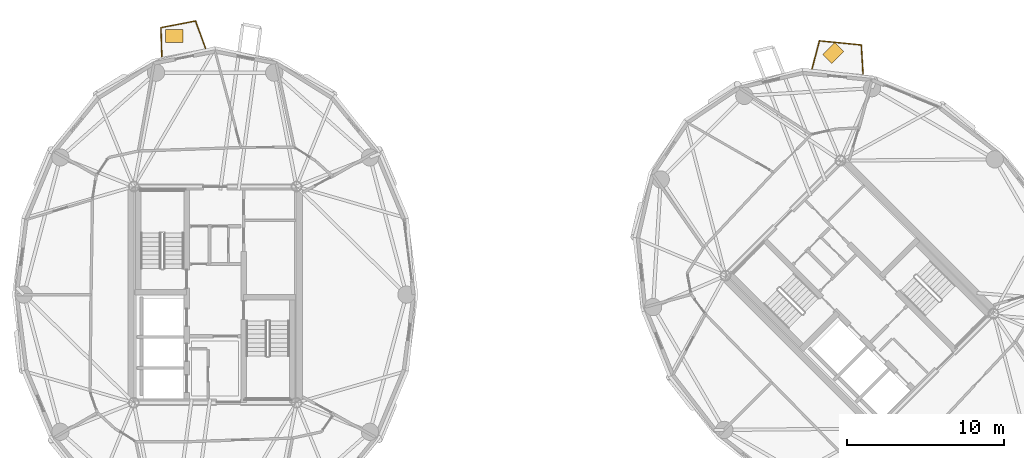
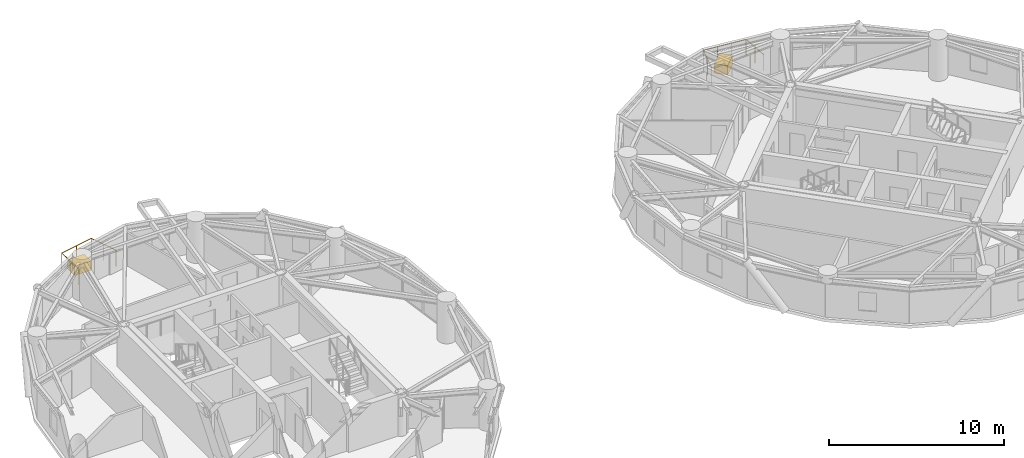
# One storey, part 17 of 17: 2 coverings, 2 railings.
"""IFC4 building model written with IfcOpenShell, lengths in metres."""

from ifc_helpers import new_model, si_unit, direction, frame, origin, origin_2d, place, context, subcontext, project, spatial, rectangle, circle, extrude, source, transform, mapped, material, layer, layer_set, type_object, element, save


model = new_model("IFC4")

# Units and contexts
model_context = context("Model", 3, precision=1e-05, world=origin(), true_north=direction((0.0, 1.0)))
body_context = subcontext(model_context, "Body", "Model", "MODEL_VIEW")
ifc_project = project(units=[si_unit("LENGTHUNIT", "METRE"), si_unit("AREAUNIT", "SQUARE_METRE"), si_unit("VOLUMEUNIT", "CUBIC_METRE"), si_unit("PLANEANGLEUNIT", "RADIAN"), si_unit("MASSUNIT", "GRAM", prefix="KILO")], contexts=[model_context])

# Site, building, storey
site_placement = place(None, origin())
site = spatial("IfcSite", under=ifc_project, at=site_placement, CompositionType="ELEMENT")
building_placement = place(site_placement, origin())
building = spatial("IfcBuilding", under=site, at=building_placement, Name="Cununo Teusaquillo Station Towers", CompositionType="ELEMENT")
storey_placement = place(building_placement, frame((0.0, 0.0, 205.389892578125)))
storey = spatial("IfcBuildingStorey", under=building, at=storey_placement, Name="L65", CompositionType="ELEMENT", Elevation=205.389892578125)

# Railings
ifc_material_1 = material(Name="Anodised dark bronze aluminium EN AW-6063-T6", Category="aluminium")
railing_type = type_object("IfcRailingType", Name="RL-EXT-GUARD", PredefinedType="GUARDRAIL", material=ifc_material_1)
railing_1_placement = place(storey_placement, frame((13.107421875, 39.643798828125, 0.0)))
element("IfcRailing", 1, at=railing_1_placement, inside=storey, type_object=railing_type, Name="L65 Tower A Balcony Guardrail C05", PredefinedType="GUARDRAIL", context=body_context, shape_type="SweptSolid", body=[
    extrude(circle(Radius=0.02392578125, at=origin_2d()), frame((0.0, 0.0, 1.1259765625), z_axis=(-0.030305152758, 0.999540693377, 0.0), x_axis=(-0.999540693377, -0.030305152758, 0.0)), (0.0, 0.0, 1.0), 1.8447265625),
    extrude(circle(Radius=0.02392578125, at=origin_2d()), frame((-0.055908203125, 1.843994140625, 1.1259765625), z_axis=(0.981834932982, 0.18973709278, 0.0), x_axis=(-0.18973709278, 0.981834932982, 0.0)), (0.0, 0.0, 1.0), 2.239013671875),
    extrude(circle(Radius=0.02392578125, at=origin_2d()), frame((2.142333984375, 2.268798828125, 1.1259765625), z_axis=(0.344196323776, -0.938897699805, 0.0), x_axis=(0.938897699805, 0.344196323776, 0.0)), (0.0, 0.0, 1.0), 1.844970703125),
    extrude(circle(Radius=0.02099609375, at=origin_2d()), origin(), (0.0, 0.0, 1.0), 1.101806640625),
    extrude(circle(Radius=0.02099609375, at=origin_2d()), frame((-0.02783203125, 0.921875, 0.0)), (0.0, 0.0, 1.0), 1.101806640625),
    extrude(circle(Radius=0.02099609375, at=origin_2d()), frame((-0.055908203125, 1.843994140625, 0.0)), (0.0, 0.0, 1.0), 1.101806640625),
    extrude(circle(Radius=0.02099609375, at=origin_2d()), frame((1.043212890625, 2.056396484375, 0.0)), (0.0, 0.0, 1.0), 1.101806640625),
    extrude(circle(Radius=0.02099609375, at=origin_2d()), frame((2.142333984375, 2.268798828125, 0.0)), (0.0, 0.0, 1.0), 1.101806640625),
    extrude(circle(Radius=0.02099609375, at=origin_2d()), frame((2.4599609375, 1.40283203125, 0.0)), (0.0, 0.0, 1.0), 1.101806640625),
    extrude(circle(Radius=0.02099609375, at=origin_2d()), frame((2.77734375, 0.53662109375, 0.0)), (0.0, 0.0, 1.0), 1.101806640625),
])
railing_2_placement = place(storey_placement, frame((54.476806640625, 38.8583984375, 0.0)))
element("IfcRailing", 2, at=railing_2_placement, inside=storey, type_object=railing_type, Name="L65 Tower B Balcony Guardrail C02", PredefinedType="GUARDRAIL", context=body_context, shape_type="SweptSolid", body=[
    extrude(circle(Radius=0.02392578125, at=origin_2d()), frame((0.0, 0.0, 1.1259765625), z_axis=(0.256417131113, 0.966566218565, 0.0), x_axis=(-0.966566218565, 0.256417131113, 0.0)), (0.0, 0.0, 1.0), 1.854736328125),
    extrude(circle(Radius=0.02392578125, at=origin_2d()), frame((0.4755859375, 1.792724609375, 1.1259765625), z_axis=(0.995123619559, -0.098635601058, 0.0), x_axis=(0.098635601058, 0.995123619559, 0.0)), (0.0, 0.0, 1.0), 2.673095703125),
    extrude(circle(Radius=0.02392578125, at=origin_2d()), frame((3.1357421875, 1.529052734375, 1.1259765625), z_axis=(0.061615983027, -0.998099930185, 0.0), x_axis=(0.998099930185, 0.061615983027, 0.0)), (0.0, 0.0, 1.0), 1.854248046875),
    extrude(circle(Radius=0.02099609375, at=origin_2d()), origin(), (0.0, 0.0, 1.0), 1.101806640625),
    extrude(circle(Radius=0.02099609375, at=origin_2d()), frame((0.23779296875, 0.896484375, 0.0)), (0.0, 0.0, 1.0), 1.101806640625),
    extrude(circle(Radius=0.02099609375, at=origin_2d()), frame((0.4755859375, 1.792724609375, 0.0)), (0.0, 0.0, 1.0), 1.101806640625),
    extrude(circle(Radius=0.02099609375, at=origin_2d()), frame((1.3623046875, 1.704833984375, 0.0)), (0.0, 0.0, 1.0), 1.101806640625),
    extrude(circle(Radius=0.02099609375, at=origin_2d()), frame((2.2490234375, 1.616943359375, 0.0)), (0.0, 0.0, 1.0), 1.101806640625),
    extrude(circle(Radius=0.02099609375, at=origin_2d()), frame((3.1357421875, 1.529052734375, 0.0)), (0.0, 0.0, 1.0), 1.101806640625),
    extrude(circle(Radius=0.02099609375, at=origin_2d()), frame((3.19287109375, 0.603515625, 0.0)), (0.0, 0.0, 1.0), 1.101806640625),
    extrude(circle(Radius=0.02099609375, at=origin_2d()), frame((3.25, -0.32177734375, 0.0)), (0.0, 0.0, 1.0), 1.101806640625),
])

# Coverings
ifc_material_2 = material(Name="Architectural GRC planter shell and engineered root-zone substrate", Category="concrete")
ifc_layer = layer(ifc_material_2, 0.64990234375)
ifc_layer_set = layer_set([ifc_layer], Name="Architectural GRC planter shell and engineered root-zone substrate")
covering_type = type_object("IfcCoveringType", Name="COV-TREE-PLANTER", PredefinedType="CLADDING", material=ifc_layer_set)
shared_shape = source(origin(), body_context, "Body", "SweptSolid", [
    extrude(rectangle(XDim=1.10009765625, YDim=0.800048828125, at=origin_2d()), origin(), (0.0, 0.0, 1.0), 0.64990234375),
])
for number, where, z_axis, x_axis, name in (
    (3, (13.902099609375, 40.95654296875, 0.000244140625), (0.0, 0.0, 1.0), (1.0, 0.0, 0.0), "L65 Tower A Balcony Tree PLANTER C05"),
    (4, (55.831298828125, 39.872314453125, 0.000244140625), (0.0, 0.0, 1.0), (0.707106781187, 0.707106781187, 0.0), "L65 Tower B Balcony Tree PLANTER C02"),
):
    element("IfcCovering", number, at=place(storey_placement, frame(where, z_axis=z_axis, x_axis=x_axis)), inside=storey, type_object=covering_type, Name=name, PredefinedType="CLADDING", context=body_context, shape_type="MappedRepresentation", body=[
        mapped(shared_shape, transform((0.0, 0.0, 0.0), x_axis=(1.0, 0.0, 0.0), y_axis=(0.0, 1.0, 0.0), z_axis=(0.0, 0.0, 1.0), scale=1.0)),
    ])

save(model, "model.ifc")
